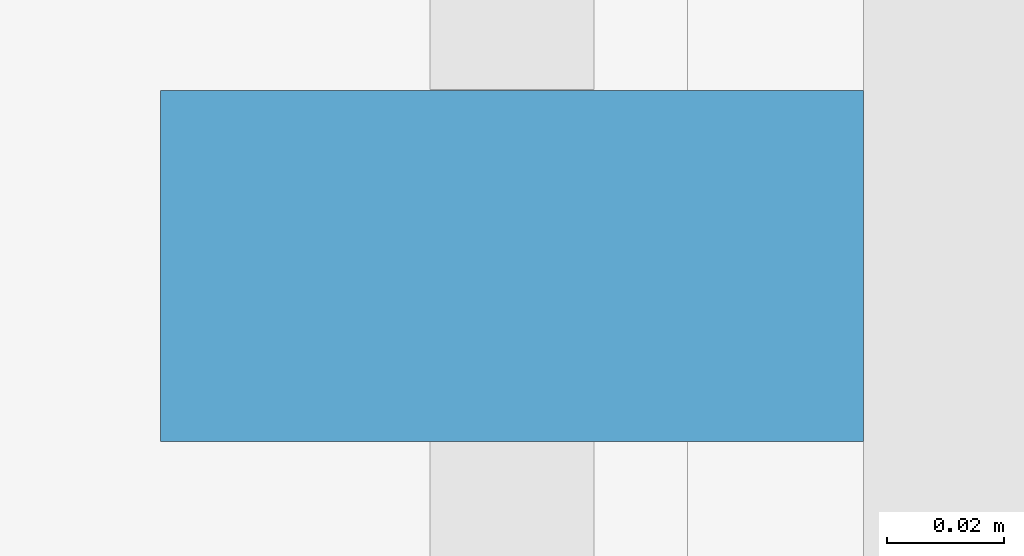
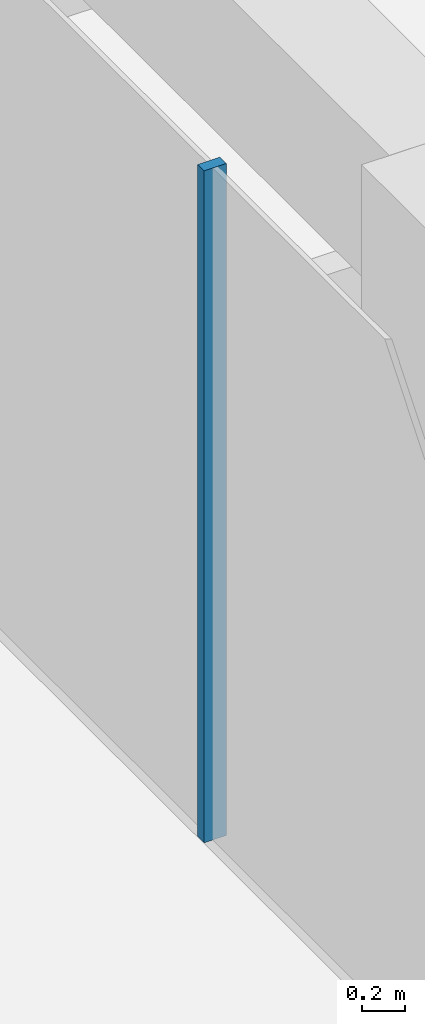
# One storey, part 9 of 19: 1 member, 1 element without a shape of its own.
"""IFC4 building model written with IfcOpenShell, lengths in metres."""

from ifc_helpers import new_model, si_unit, direction, frame, origin, origin_2d, place, context, subcontext, project, spatial, rectangle, extrude, material, layer, layer_set, material_profile, profile_set, type_object, element, aggregate, save


model = new_model("IFC4")

# Units and contexts
model_context = context("Model", 3, precision=1e-05, world=origin(), true_north=direction((0.0, 1.0)))
body_context = subcontext(model_context, "Body", "Model", "MODEL_VIEW")
ifc_project = project(units=[si_unit("LENGTHUNIT", "METRE"), si_unit("AREAUNIT", "SQUARE_METRE"), si_unit("VOLUMEUNIT", "CUBIC_METRE"), si_unit("PLANEANGLEUNIT", "RADIAN"), si_unit("MASSUNIT", "GRAM", prefix="KILO")], contexts=[model_context])

# Site, building, storey
site_placement = place(None, origin())
site = spatial("IfcSite", under=ifc_project, at=site_placement, CompositionType="ELEMENT")
building_placement = place(site_placement, origin())
building = spatial("IfcBuilding", under=site, at=building_placement, Name="Welwitschia Terrace Campus", CompositionType="ELEMENT")
storey_placement = place(building_placement, frame((0.0, 0.0, 167.60009765625)))
storey = spatial("IfcBuildingStorey", under=building, at=storey_placement, Name="L37", CompositionType="ELEMENT", Elevation=167.60009765625)

# Curtain wall, member
ifc_material_1 = material(Name="Bronze anodised aluminium", Category="aluminium")
ifc_layer = layer(ifc_material_1, 0.1201171875)
ifc_layer_set = layer_set([ifc_layer], Name="Bronze anodised aluminium")
curtain_wall_type = type_object("IfcCurtainWallType", Name="Curtain wall CW2 tower 6000", PredefinedType="NOTDEFINED", material=ifc_layer_set)
curtain_wall_placement = place(storey_placement, origin())
curtain_wall = element("IfcCurtainWall", 1, at=curtain_wall_placement, inside=storey, type_object=curtain_wall_type, Name="CW L37.1.0", PredefinedType="NOTDEFINED")
ifc_material_2 = material(Name="Bronze anodised aluminium", Category="aluminium")
ifc_material_profile = material_profile(ifc_material_2, rectangle(XDim=0.1201171875, YDim=0.06005859375, at=origin_2d()))
ifc_profile_set = profile_set([ifc_material_profile], Name="Bronze anodised aluminium")
member_type = type_object("IfcMemberType", Name="Mullion 60x120", PredefinedType="MULLION", material=ifc_profile_set)
member_placement = place(storey_placement, frame((-1.030029296875, 44.781494140625, 0.0), z_axis=(0.0, 0.0, 1.0), x_axis=(1.0, 0.0, 0.0)))
member = element("IfcMember", 2, at=member_placement, type_object=member_type, Name="Mullion L37.1.0.3", PredefinedType="MULLION", context=body_context, shape_type="SweptSolid", body=[
    extrude(rectangle(XDim=0.1201171875, YDim=0.06005859375, at=origin_2d()), origin(), (0.0, 0.0, 1.0), 3.849853515625),
])
aggregate(curtain_wall, [member])

save(model, "model.ifc")
